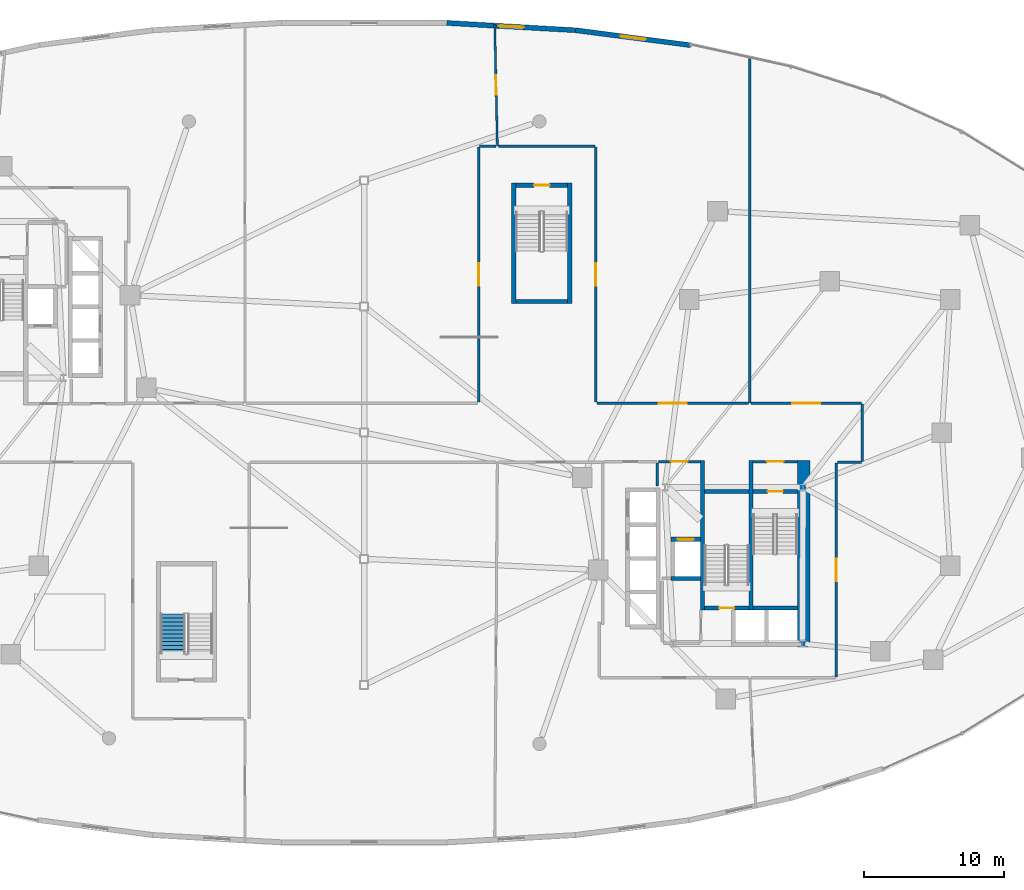
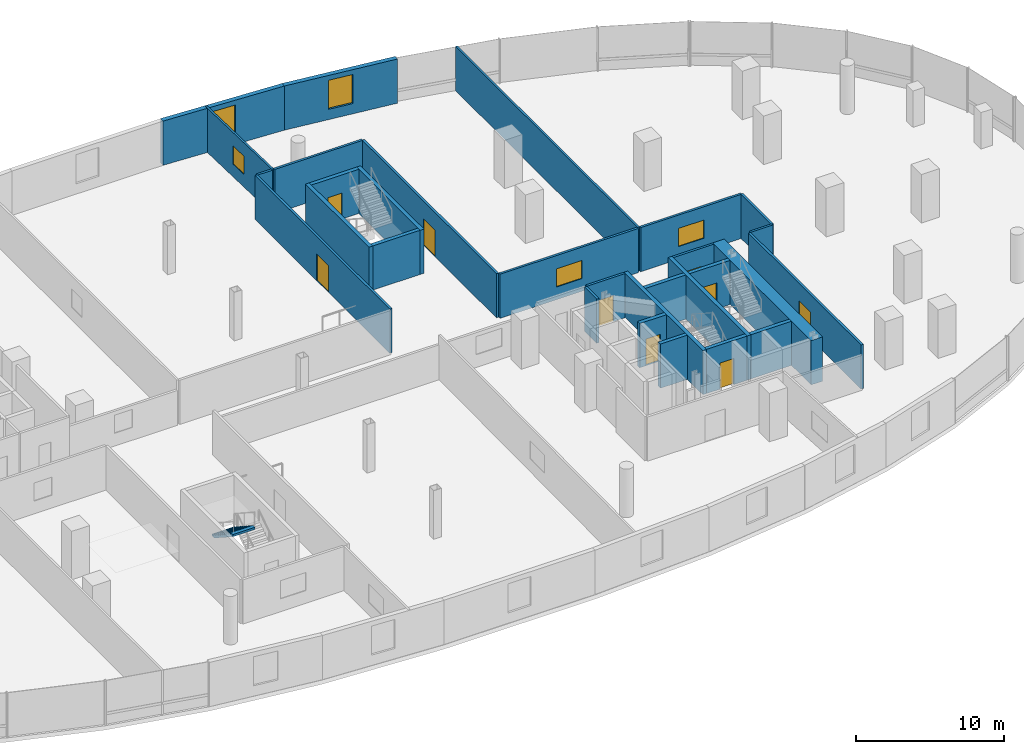
# One storey, part 15 of 18: 29 walls, 9 doors, 5 windows, 1 stair flight, 14 openings, 1 element without a shape of its own.
"""IFC4 building model written with IfcOpenShell, lengths in metres."""

from ifc_helpers import new_model, si_unit, direction, frame, frame_2d, origin, place, context, subcontext, project, spatial, polyline, rectangle, outline, extrude, material, layer, layer_set, type_object, element, fill, aggregate, save


model = new_model("IFC4")

# Units and contexts
model_context = context("Model", 3, precision=1e-05, world=origin(), true_north=direction((0.0, 1.0)))
body_context = subcontext(model_context, "Body", "Model", "MODEL_VIEW")
ifc_project = project(units=[si_unit("LENGTHUNIT", "METRE"), si_unit("AREAUNIT", "SQUARE_METRE"), si_unit("VOLUMEUNIT", "CUBIC_METRE"), si_unit("PLANEANGLEUNIT", "RADIAN"), si_unit("MASSUNIT", "GRAM", prefix="KILO"), si_unit("THERMODYNAMICTEMPERATUREUNIT", "KELVIN"), si_unit("POWERUNIT", "WATT")], contexts=[model_context])

# Site, building, storey
site_placement = place(None, origin())
site = spatial("IfcSite", under=ifc_project, at=site_placement, CompositionType="ELEMENT")
building_placement = place(site_placement, origin())
building = spatial("IfcBuilding", under=site, at=building_placement, Name="Cundina Bronze Exchange", CompositionType="ELEMENT")
storey_placement = place(building_placement, frame((0.0, 0.0, 12.0)))
storey = spatial("IfcBuildingStorey", under=building, at=storey_placement, Name="L02", CompositionType="ELEMENT", Elevation=12.0)

# Wall
ifc_material_1 = material(Name="Gypsum Fireboard Partition EI120")
ifc_layer_1 = layer(ifc_material_1, 0.179931640625, Name="Gypsum Fireboard Partition EI120")
ifc_layer_set_1 = layer_set([ifc_layer_1], Name="Gypsum Fireboard Partition EI120")
wall_type_1 = type_object("IfcWallType", Name="WL-COR-180", PredefinedType="PARTITIONING", material=ifc_layer_set_1)
wall_1_placement = place(storey_placement, frame((20.889892578125, -3.800048828125, 0.0), z_axis=(0.0, 0.0, 1.0), x_axis=(0.0, 1.0, 0.0)))
element("IfcWall", 1, at=wall_1_placement, inside=storey, type_object=wall_type_1, Name="L02 E Firefighting Lobby Side Wall", PredefinedType="PARTITIONING", context=body_context, shape_type="SweptSolid", body=[
    extrude(rectangle(XDim=1.650146484375, YDim=0.179931640625, at=frame_2d((0.8251953125, 0.0))), origin(), (0.0, 0.0, 1.0), 3.64990234375),
])

# Wall, opening, door
wall_2_placement = place(storey_placement, frame((20.97998046875, -2.06005859375, 0.0), z_axis=(0.0, 0.0, 1.0), x_axis=(1.0, 0.0, 0.0)))
wall_2 = element("IfcWall", 2, at=wall_2_placement, inside=storey, type_object=wall_type_1, Name="L02 E Firefighting Lobby Exit Wall", PredefinedType="PARTITIONING", context=body_context, shape_type="SweptSolid", body=[
    extrude(rectangle(XDim=3.0, YDim=0.179931640625, at=frame_2d((1.5, 0.0))), origin(), (0.0, 0.0, 1.0), 3.64990234375),
])
opening_1_placement = place(wall_2_placement, frame((0.89990234375, 0.0, 0.0)))
opening_1 = element("IfcOpeningElement", 3, at=opening_1_placement, cuts=wall_2, Name="Opening DF-01", PredefinedType="OPENING", context=body_context, shape_type="SweptSolid", body=[
    extrude(rectangle(XDim=1.199951171875, YDim=2.14990234375, at=frame_2d((0.60009765625, 1.074951171875))), frame((0.0, 0.099853515625, 0.0), z_axis=(0.0, -1.0, 0.0), x_axis=(1.0, 0.0, 0.0)), (0.0, 0.0, 1.0), 0.199951171875),
])
ifc_material_2 = material(Name="Steel ASTM A36 Painted", Category="steel")
door_type_1 = type_object("IfcDoorType", Name="DR-FFL-1200", OperationType="NOTDEFINED", PredefinedType="DOOR", material=ifc_material_2)
door_1_placement = place(opening_1_placement, origin())
door_1 = element("IfcDoor", 4, at=door_1_placement, inside=storey, type_object=door_type_1, Name="L02 E Firefighting Lobby Door", OperationType="SINGLE_SWING_LEFT", OverallHeight=2.14990234375, OverallWidth=1.199951171875, PredefinedType="DOOR", context=body_context, shape_type="SweptSolid", body=[
    extrude(rectangle(XDim=1.199951171875, YDim=2.14990234375, at=frame_2d((0.60009765625, 1.074951171875))), frame((0.0, 0.02490234375, 0.0), z_axis=(0.0, -1.0, 0.0), x_axis=(1.0, 0.0, 0.0)), (0.0, 0.0, 1.0), 0.050048828125),
])
fill(opening_1, door_1)

wall_3_placement = place(storey_placement, frame((27.739990234375, -2.06005859375, 0.0), z_axis=(0.0, 0.0, 1.0), x_axis=(1.0, 0.0, 0.0)))
wall_3 = element("IfcWall", 5, at=wall_3_placement, inside=storey, type_object=wall_type_1, Name="L02 E Stair Vestibule Exit Wall", PredefinedType="PARTITIONING", context=body_context, shape_type="SweptSolid", body=[
    extrude(rectangle(XDim=3.159912109375, YDim=0.179931640625, at=frame_2d((1.580078125, 0.0))), origin(), (0.0, 0.0, 1.0), 3.64990234375),
])
opening_2_placement = place(wall_3_placement, frame((0.97998046875, 0.0, 0.0)))
opening_2 = element("IfcOpeningElement", 6, at=opening_2_placement, cuts=wall_3, Name="Opening DF-01", PredefinedType="OPENING", context=body_context, shape_type="SweptSolid", body=[
    extrude(rectangle(XDim=1.199951171875, YDim=2.14990234375, at=frame_2d((0.60009765625, 1.074951171875))), frame((0.0, 0.099853515625, 0.0), z_axis=(0.0, -1.0, 0.0), x_axis=(1.0, 0.0, 0.0)), (0.0, 0.0, 1.0), 0.199951171875),
])
door_2_placement = place(opening_2_placement, origin())
door_2 = element("IfcDoor", 7, at=door_2_placement, inside=storey, type_object=door_type_1, Name="L02 E Stair Vestibule Door", OperationType="SINGLE_SWING_RIGHT", OverallHeight=2.14990234375, OverallWidth=1.199951171875, PredefinedType="DOOR", context=body_context, shape_type="SweptSolid", body=[
    extrude(rectangle(XDim=1.199951171875, YDim=2.14990234375, at=frame_2d((0.60009765625, 1.074951171875))), frame((0.0, 0.02490234375, 0.0), z_axis=(0.0, -1.0, 0.0), x_axis=(1.0, 0.0, 0.0)), (0.0, 0.0, 1.0), 0.050048828125),
])
fill(opening_2, door_2)

wall_4_placement = place(storey_placement, frame((33.669921875, -17.428466796875, 0.0), z_axis=(0.0, 0.0, 1.0), x_axis=(0.0, 1.0, 0.0)))
wall_4 = element("IfcWall", 8, at=wall_4_placement, inside=storey, type_object=wall_type_1, Name="L02 Interior Partition 043", PredefinedType="PARTITIONING", context=body_context, shape_type="SweptSolid", body=[
    extrude(rectangle(XDim=15.24853515625, YDim=0.179931640625, at=frame_2d((7.624267578125, 0.0))), origin(), (0.0, 0.0, 1.0), 3.64990234375),
])
opening_3_placement = place(wall_4_placement, frame((6.82421875, 0.0, 0.0)))
opening_3 = element("IfcOpeningElement", 9, at=opening_3_placement, cuts=wall_4, Name="Opening DO-02", PredefinedType="OPENING", context=body_context, shape_type="SweptSolid", body=[
    extrude(rectangle(XDim=1.60009765625, YDim=2.199951171875, at=frame_2d((0.800048828125, 1.10009765625))), frame((0.0, 0.099853515625, 0.0), z_axis=(0.0, -1.0, 0.0), x_axis=(1.0, 0.0, 0.0)), (0.0, 0.0, 1.0), 0.199951171875),
])
ifc_material_3 = material(Name="Solid Andean Oak Timber Grade A", Category="wood")
door_type_2 = type_object("IfcDoorType", Name="DR-TRD-1600", OperationType="NOTDEFINED", PredefinedType="DOOR", material=ifc_material_3)
door_3_placement = place(opening_3_placement, origin())
door_3 = element("IfcDoor", 10, at=door_3_placement, inside=storey, type_object=door_type_2, Name="L02 Interior Door 043", OperationType="SINGLE_SWING_LEFT", OverallHeight=2.199951171875, OverallWidth=1.60009765625, PredefinedType="DOOR", context=body_context, shape_type="SweptSolid", body=[
    extrude(rectangle(XDim=1.60009765625, YDim=2.199951171875, at=frame_2d((0.800048828125, 1.10009765625))), frame((0.0, 0.02490234375, 0.0), z_axis=(0.0, -1.0, 0.0), x_axis=(1.0, 0.0, 0.0)), (0.0, 0.0, 1.0), 0.050048828125),
])
fill(opening_3, door_3)

# Wall, opening, window
wall_5_placement = place(storey_placement, frame((35.478515625, 2.10009765625, 0.0), z_axis=(0.0, 0.0, 1.0), x_axis=(-1.0, 0.0, 0.0)))
wall_5 = element("IfcWall", 11, at=wall_5_placement, inside=storey, type_object=wall_type_1, Name="L02 Interior Partition 044", PredefinedType="PARTITIONING", context=body_context, shape_type="SweptSolid", body=[
    extrude(rectangle(XDim=7.883544921875, YDim=0.179931640625, at=frame_2d((3.94189453125, 0.0))), origin(), (0.0, 0.0, 1.0), 3.64990234375),
])
opening_4_placement = place(wall_5_placement, frame((2.94189453125, 0.0, 1.050048828125)))
opening_4 = element("IfcOpeningElement", 12, at=opening_4_placement, cuts=wall_5, Name="Opening WI-01", PredefinedType="OPENING", context=body_context, shape_type="SweptSolid", body=[
    extrude(rectangle(XDim=2.0, YDim=1.5, at=frame_2d((1.0, 0.75))), frame((0.0, 0.099853515625, 0.0), z_axis=(0.0, -1.0, 0.0), x_axis=(1.0, 0.0, 0.0)), (0.0, 0.0, 1.0), 0.199951171875),
])
ifc_material_4 = material(Name="Clear Low-E Insulating Glass 26mm", Category="glass")
window_type_1 = type_object("IfcWindowType", Name="WN-INT-2000", PartitioningType="SINGLE_PANEL", PredefinedType="WINDOW", material=ifc_material_4)
window_1_placement = place(opening_4_placement, origin())
window_1 = element("IfcWindow", 13, at=window_1_placement, inside=storey, type_object=window_type_1, Name="L02 Interior Acoustic Vision Window 044", OverallHeight=1.5, OverallWidth=2.0, PartitioningType="SINGLE_PANEL", PredefinedType="WINDOW", context=body_context, shape_type="SweptSolid", body=[
    extrude(rectangle(XDim=2.0, YDim=1.5, at=frame_2d((1.0, 0.75))), frame((0.0, 0.030029296875, 0.0), z_axis=(0.0, -1.0, 0.0), x_axis=(1.0, 0.0, 0.0)), (0.0, 0.0, 1.0), 0.06005859375),
])
fill(opening_4, window_1)

# Walls
wall_6_placement = place(storey_placement, frame((35.52001953125, -2.05859375, 0.0), z_axis=(0.0, 0.0, 1.0), x_axis=(0.0, 1.0, 0.0)))
element("IfcWall", 14, at=wall_6_placement, inside=storey, type_object=wall_type_1, Name="L02 Interior Partition 046", PredefinedType="PARTITIONING", context=body_context, shape_type="SweptSolid", body=[
    extrude(rectangle(XDim=4.1171875, YDim=0.179931640625, at=frame_2d((2.05859375, 0.0))), origin(), (0.0, 0.0, 1.0), 3.64990234375),
])
wall_7_placement = place(storey_placement, frame((33.75, -2.10009765625, 0.0), z_axis=(0.0, 0.0, 1.0), x_axis=(1.0, 0.0, 0.0)))
element("IfcWall", 15, at=wall_7_placement, inside=storey, type_object=wall_type_1, Name="L02 Interior Partition 047", PredefinedType="PARTITIONING", context=body_context, shape_type="SweptSolid", body=[
    extrude(rectangle(XDim=1.728515625, YDim=0.179931640625, at=frame_2d((0.8642578125, 0.0))), origin(), (0.0, 0.0, 1.0), 3.64990234375),
])

# Wall, opening, door
wall_8_placement = place(storey_placement, frame((8.179931640625, 20.37841796875, 0.0), z_axis=(0.0, 0.0, 1.0), x_axis=(0.0, -1.0, 0.0)))
wall_8 = element("IfcWall", 16, at=wall_8_placement, inside=storey, type_object=wall_type_1, Name="L02 Interior Partition 048", PredefinedType="PARTITIONING", context=body_context, shape_type="SweptSolid", body=[
    extrude(rectangle(XDim=18.198486328125, YDim=0.179931640625, at=frame_2d((9.09912109375, 0.0))), origin(), (0.0, 0.0, 1.0), 3.64990234375),
])
opening_5_placement = place(wall_8_placement, frame((8.29931640625, 0.0, 0.0)))
opening_5 = element("IfcOpeningElement", 17, at=opening_5_placement, cuts=wall_8, Name="Opening DO-02", PredefinedType="OPENING", context=body_context, shape_type="SweptSolid", body=[
    extrude(rectangle(XDim=1.60009765625, YDim=2.199951171875, at=frame_2d((0.800048828125, 1.10009765625))), frame((0.0, 0.099853515625, 0.0), z_axis=(0.0, -1.0, 0.0), x_axis=(1.0, 0.0, 0.0)), (0.0, 0.0, 1.0), 0.199951171875),
])
door_4_placement = place(opening_5_placement, origin())
door_4 = element("IfcDoor", 18, at=door_4_placement, inside=storey, type_object=door_type_2, Name="L02 Interior Door 048", OperationType="SINGLE_SWING_LEFT", OverallHeight=2.199951171875, OverallWidth=1.60009765625, PredefinedType="DOOR", context=body_context, shape_type="SweptSolid", body=[
    extrude(rectangle(XDim=1.60009765625, YDim=2.199951171875, at=frame_2d((0.800048828125, 1.10009765625))), frame((0.0, 0.02490234375, 0.0), z_axis=(0.0, -1.0, 0.0), x_axis=(1.0, 0.0, 0.0)), (0.0, 0.0, 1.0), 0.050048828125),
])
fill(opening_5, door_4)

# Wall
wall_9_placement = place(storey_placement, frame((9.405029296875, 20.419921875, 0.0), z_axis=(0.0, 0.0, 1.0), x_axis=(-1.0, 0.0, 0.0)))
element("IfcWall", 19, at=wall_9_placement, inside=storey, type_object=wall_type_1, Name="L02 Interior Partition 050", PredefinedType="PARTITIONING", context=body_context, shape_type="SweptSolid", body=[
    extrude(rectangle(XDim=1.18359375, YDim=0.179931640625, at=frame_2d((0.591796875, 0.0))), origin(), (0.0, 0.0, 1.0), 3.64990234375),
])

# Wall, opening, door
wall_10_placement = place(storey_placement, frame((16.52001953125, 2.179931640625, 0.0), z_axis=(0.0, 0.0, 1.0), x_axis=(0.0, 1.0, 0.0)))
wall_10 = element("IfcWall", 20, at=wall_10_placement, inside=storey, type_object=wall_type_1, Name="L02 Interior Partition 051", PredefinedType="PARTITIONING", context=body_context, shape_type="SweptSolid", body=[
    extrude(rectangle(XDim=18.198486328125, YDim=0.179931640625, at=frame_2d((9.09912109375, 0.0))), origin(), (0.0, 0.0, 1.0), 3.64990234375),
])
opening_6_placement = place(wall_10_placement, frame((8.29931640625, 0.0, 0.0)))
opening_6 = element("IfcOpeningElement", 21, at=opening_6_placement, cuts=wall_10, Name="Opening DO-02", PredefinedType="OPENING", context=body_context, shape_type="SweptSolid", body=[
    extrude(rectangle(XDim=1.60009765625, YDim=2.199951171875, at=frame_2d((0.800048828125, 1.10009765625))), frame((0.0, 0.099853515625, 0.0), z_axis=(0.0, -1.0, 0.0), x_axis=(1.0, 0.0, 0.0)), (0.0, 0.0, 1.0), 0.199951171875),
])
door_5_placement = place(opening_6_placement, origin())
door_5 = element("IfcDoor", 22, at=door_5_placement, inside=storey, type_object=door_type_2, Name="L02 Interior Door 051", OperationType="SINGLE_SWING_RIGHT", OverallHeight=2.199951171875, OverallWidth=1.60009765625, PredefinedType="DOOR", context=body_context, shape_type="SweptSolid", body=[
    extrude(rectangle(XDim=1.60009765625, YDim=2.199951171875, at=frame_2d((0.800048828125, 1.10009765625))), frame((0.0, 0.02490234375, 0.0), z_axis=(0.0, -1.0, 0.0), x_axis=(1.0, 0.0, 0.0)), (0.0, 0.0, 1.0), 0.050048828125),
])
fill(opening_6, door_5)

# Wall, opening, window
wall_11_placement = place(storey_placement, frame((27.405029296875, 2.10009765625, 0.0), z_axis=(0.0, 0.0, 1.0), x_axis=(-1.0, 0.0, 0.0)))
wall_11 = element("IfcWall", 23, at=wall_11_placement, inside=storey, type_object=wall_type_1, Name="L02 Interior Partition 052", PredefinedType="PARTITIONING", context=body_context, shape_type="SweptSolid", body=[
    extrude(rectangle(XDim=10.804931640625, YDim=0.179931640625, at=frame_2d((5.40234375, 0.0))), origin(), (0.0, 0.0, 1.0), 3.64990234375),
])
opening_7_placement = place(wall_11_placement, frame((4.402099609375, 0.0, 1.050048828125)))
opening_7 = element("IfcOpeningElement", 24, at=opening_7_placement, cuts=wall_11, Name="Opening WI-01", PredefinedType="OPENING", context=body_context, shape_type="SweptSolid", body=[
    extrude(rectangle(XDim=2.0, YDim=1.5, at=frame_2d((1.0, 0.75))), frame((0.0, 0.099853515625, 0.0), z_axis=(0.0, -1.0, 0.0), x_axis=(1.0, 0.0, 0.0)), (0.0, 0.0, 1.0), 0.199951171875),
])
window_2_placement = place(opening_7_placement, origin())
window_2 = element("IfcWindow", 25, at=window_2_placement, inside=storey, type_object=window_type_1, Name="L02 Interior Acoustic Vision Window 052", OverallHeight=1.5, OverallWidth=2.0, PartitioningType="SINGLE_PANEL", PredefinedType="WINDOW", context=body_context, shape_type="SweptSolid", body=[
    extrude(rectangle(XDim=2.0, YDim=1.5, at=frame_2d((1.0, 0.75))), frame((0.0, 0.030029296875, 0.0), z_axis=(0.0, -1.0, 0.0), x_axis=(1.0, 0.0, 0.0)), (0.0, 0.0, 1.0), 0.06005859375),
])
fill(opening_7, window_2)

# Walls
wall_12_placement = place(storey_placement, frame((16.478515625, 20.419921875, 0.0), z_axis=(0.0, 0.0, 1.0), x_axis=(-1.0, 0.0, 0.0)))
element("IfcWall", 26, at=wall_12_placement, inside=storey, type_object=wall_type_1, Name="L02 Interior Partition 053", PredefinedType="PARTITIONING", context=body_context, shape_type="SweptSolid", body=[
    extrude(rectangle(XDim=6.883544921875, YDim=0.179931640625, at=frame_2d((3.44189453125, 0.0))), origin(), (0.0, 0.0, 1.0), 3.64990234375),
])
ifc_material_5 = material(Name="Concrete C60/75", Category="concrete")
ifc_layer_2 = layer(ifc_material_5, 0.89990234375, Name="Concrete C60/75", Category="concrete")
ifc_layer_set_2 = layer_set([ifc_layer_2], Name="Concrete C60/75")
wall_type_2 = type_object("IfcWallType", Name="WL-CORE-900", PredefinedType="SHEAR", material=ifc_layer_set_2)
wall_13_placement = place(storey_placement, frame((31.35009765625, -15.300048828125, 0.0), z_axis=(0.0, 0.0, 1.0), x_axis=(0.0, 1.0, 0.0)))
element("IfcWall", 27, at=wall_13_placement, inside=storey, type_object=wall_type_2, Name="L02 E Primary Core Shear Spine Wall", PredefinedType="SHEAR", context=body_context, shape_type="SweptSolid", body=[
    extrude(rectangle(XDim=13.330078125, YDim=0.89990234375, at=frame_2d((6.6650390625, 0.0))), origin(), (0.0, 0.0, 1.0), 3.64990234375),
])

# Wall, opening, window
ifc_material_6 = material(Name="Concrete C40/50", Category="concrete")
ifc_layer_3 = layer(ifc_material_6, 0.35009765625, Name="Concrete C40/50", Category="concrete")
ifc_layer_set_3 = layer_set([ifc_layer_3], Name="Concrete C40/50")
wall_type_3 = type_object("IfcWallType", Name="WL-EXT-350", PredefinedType="SOLIDWALL", material=ifc_layer_set_3)
wall_14_placement = place(storey_placement, frame((23.29345703125, 27.63232421875, 0.0), z_axis=(0.0, 0.0, 1.0), x_axis=(-0.99168663472, 0.128676410104, 0.0)))
wall_14 = element("IfcWall", 28, at=wall_14_placement, inside=storey, type_object=wall_type_3, Name="L02 Podium Exterior Wall 08", PredefinedType="SOLIDWALL", context=body_context, shape_type="SweptSolid", body=[
    extrude(rectangle(XDim=8.28369140625, YDim=0.35009765625, at=frame_2d((4.141845703125, 0.0))), origin(), (0.0, 0.0, 1.0), 3.64990234375),
])
opening_8_placement = place(wall_14_placement, frame((3.241943359375, 0.0, 0.85009765625)))
opening_8 = element("IfcOpeningElement", 29, at=opening_8_placement, cuts=wall_14, Name="Opening W-02", PredefinedType="OPENING", context=body_context, shape_type="SweptSolid", body=[
    extrude(rectangle(XDim=1.800048828125, YDim=2.39990234375, at=frame_2d((0.89990234375, 1.199951171875))), frame((0.0, 0.18505859375, 0.0), z_axis=(0.0, -1.0, 0.0), x_axis=(1.0, 0.0, 0.0)), (0.0, 0.0, 1.0), 0.3701171875),
])
ifc_material_7 = material(Name="Heat-Strengthened Solar-Control Bronze Safety Glass 28mm", Category="glass")
window_type_2 = type_object("IfcWindowType", Name="WN-POD-1800", PartitioningType="SINGLE_PANEL", PredefinedType="WINDOW", material=ifc_material_7)
window_3_placement = place(opening_8_placement, origin())
window_3 = element("IfcWindow", 30, at=window_3_placement, inside=storey, type_object=window_type_2, Name="L02 Podium Punched Window 08", OverallHeight=2.39990234375, OverallWidth=1.800048828125, PartitioningType="SINGLE_PANEL", PredefinedType="WINDOW", context=body_context, shape_type="SweptSolid", body=[
    extrude(rectangle(XDim=1.800048828125, YDim=2.39990234375, at=frame_2d((0.89990234375, 1.199951171875))), frame((0.0, 0.030029296875, 0.0), z_axis=(0.0, -1.0, 0.0), x_axis=(1.0, 0.0, 0.0)), (0.0, 0.0, 1.0), 0.06005859375),
])
fill(opening_8, window_3)

wall_15_placement = place(storey_placement, frame((15.07861328125, 28.6982421875, 0.0), z_axis=(0.0, 0.0, 1.0), x_axis=(-0.998413463137, 0.056307695976, 0.0)))
wall_15 = element("IfcWall", 31, at=wall_15_placement, inside=storey, type_object=wall_type_3, Name="L02 Podium Exterior Wall 09", PredefinedType="SOLIDWALL", context=body_context, shape_type="SweptSolid", body=[
    extrude(rectangle(XDim=9.20068359375, YDim=0.35009765625, at=frame_2d((4.600341796875, 0.0))), origin(), (0.0, 0.0, 1.0), 3.64990234375),
])
opening_9_placement = place(wall_15_placement, frame((3.699951171875, 0.0, 0.85009765625)))
opening_9 = element("IfcOpeningElement", 32, at=opening_9_placement, cuts=wall_15, Name="Opening W-02", PredefinedType="OPENING", context=body_context, shape_type="SweptSolid", body=[
    extrude(rectangle(XDim=1.800048828125, YDim=2.39990234375, at=frame_2d((0.89990234375, 1.199951171875))), frame((0.0, 0.18505859375, 0.0), z_axis=(0.0, -1.0, 0.0), x_axis=(1.0, 0.0, 0.0)), (0.0, 0.0, 1.0), 0.3701171875),
])
window_4_placement = place(opening_9_placement, origin())
window_4 = element("IfcWindow", 33, at=window_4_placement, inside=storey, type_object=window_type_2, Name="L02 Podium Punched Window 09", OverallHeight=2.39990234375, OverallWidth=1.800048828125, PartitioningType="SINGLE_PANEL", PredefinedType="WINDOW", context=body_context, shape_type="SweptSolid", body=[
    extrude(rectangle(XDim=1.800048828125, YDim=2.39990234375, at=frame_2d((0.89990234375, 1.199951171875))), frame((0.0, 0.030029296875, 0.0), z_axis=(0.0, -1.0, 0.0), x_axis=(1.0, 0.0, 0.0)), (0.0, 0.0, 1.0), 0.06005859375),
])
fill(opening_9, window_4)

# Walls
ifc_material_8 = material(Name="Concrete C50/60", Category="concrete")
ifc_layer_4 = layer(ifc_material_8, 0.300048828125, Name="Concrete C50/60", Category="concrete")
ifc_layer_set_4 = layer_set([ifc_layer_4], Name="Concrete C50/60")
wall_type_4 = type_object("IfcWallType", Name="WL-SHFT-300", PredefinedType="SHEAR", material=ifc_layer_set_4)
for number, where, z_axis, x_axis, name in (
    (34, (10.669921875, 9.199951171875, 0.0), (0.0, 0.0, 1.0), (0.0, 1.0, 0.0), "L02 Concourse Stair E West Shaft Wall"),
    (35, (14.669921875, 9.199951171875, 0.0), (0.0, 0.0, 1.0), (0.0, 1.0, 0.0), "L02 Concourse Stair E East Shaft Wall"),
):
    element("IfcWall", number, at=place(storey_placement, frame(where, z_axis=z_axis, x_axis=x_axis)), inside=storey, type_object=wall_type_4, Name=name, PredefinedType="SHEAR", context=body_context, shape_type="SweptSolid", body=[
        extrude(rectangle(XDim=8.60009765625, YDim=0.300048828125, at=frame_2d((4.300048828125, 0.0))), origin(), (0.0, 0.0, 1.0), 3.64990234375),
    ])

# Wall, opening, door
wall_16_placement = place(storey_placement, frame((10.820068359375, 17.64990234375, 0.0), z_axis=(0.0, 0.0, 1.0), x_axis=(1.0, 0.0, 0.0)))
wall_16 = element("IfcWall", 36, at=wall_16_placement, inside=storey, type_object=wall_type_4, Name="L02 Concourse Stair E Landing Wall", PredefinedType="SHEAR", context=body_context, shape_type="SweptSolid", body=[
    extrude(rectangle(XDim=3.699951171875, YDim=0.300048828125, at=frame_2d((1.85009765625, 0.0))), origin(), (0.0, 0.0, 1.0), 3.64990234375),
])
opening_10_placement = place(wall_16_placement, frame((1.300048828125, 0.0, 0.0)))
opening_10 = element("IfcOpeningElement", 37, at=opening_10_placement, cuts=wall_16, Name="Opening DS-01", PredefinedType="OPENING", context=body_context, shape_type="SweptSolid", body=[
    extrude(rectangle(XDim=1.10009765625, YDim=2.14990234375, at=frame_2d((0.550048828125, 1.074951171875))), frame((0.0, 0.159912109375, 0.0), z_axis=(0.0, -1.0, 0.0), x_axis=(1.0, 0.0, 0.0)), (0.0, 0.0, 1.0), 0.320068359375),
])
door_type_3 = type_object("IfcDoorType", Name="DR-STR-1100", OperationType="NOTDEFINED", PredefinedType="DOOR", material=ifc_material_2)
door_6_placement = place(opening_10_placement, origin())
door_6 = element("IfcDoor", 38, at=door_6_placement, inside=storey, type_object=door_type_3, Name="L02 Concourse Stair E Door", OperationType="SINGLE_SWING_RIGHT", OverallHeight=2.14990234375, OverallWidth=1.10009765625, PredefinedType="DOOR", context=body_context, shape_type="SweptSolid", body=[
    extrude(rectangle(XDim=1.10009765625, YDim=2.14990234375, at=frame_2d((0.550048828125, 1.074951171875))), frame((0.0, 0.02490234375, 0.0), z_axis=(0.0, -1.0, 0.0), x_axis=(1.0, 0.0, 0.0)), (0.0, 0.0, 1.0), 0.050048828125),
])
fill(opening_10, door_6)

# Walls
wall_17_placement = place(storey_placement, frame((10.820068359375, 9.35009765625, 0.0), z_axis=(0.0, 0.0, 1.0), x_axis=(1.0, 0.0, 0.0)))
element("IfcWall", 39, at=wall_17_placement, inside=storey, type_object=wall_type_4, Name="L02 Concourse Stair E Far Shaft Wall", PredefinedType="SHEAR", context=body_context, shape_type="SweptSolid", body=[
    extrude(rectangle(XDim=3.699951171875, YDim=0.300048828125, at=frame_2d((1.85009765625, 0.0))), origin(), (0.0, 0.0, 1.0), 3.64990234375),
])
for number, where, z_axis, x_axis, name in (
    (40, (27.590087890625, -12.64990234375, 0.0), (0.0, 0.0, 1.0), (0.0, 1.0, 0.0), "L02 E Stair Shaft Dividing Shear Wall"),
    (41, (24.1298828125, -12.64990234375, 0.0), (0.0, 0.0, 1.0), (0.0, 1.0, 0.0), "L02 E Stair 2 East Shear Wall"),
):
    element("IfcWall", number, at=place(storey_placement, frame(where, z_axis=z_axis, x_axis=x_axis)), inside=storey, type_object=wall_type_4, Name=name, PredefinedType="SHEAR", context=body_context, shape_type="SweptSolid", body=[
        extrude(rectangle(XDim=10.679931640625, YDim=0.300048828125, at=frame_2d((5.33984375, 0.0))), origin(), (0.0, 0.0, 1.0), 3.64990234375),
    ])

# Wall, opening, door
wall_18_placement = place(storey_placement, frame((27.739990234375, -4.199951171875, 0.0), z_axis=(0.0, 0.0, 1.0), x_axis=(1.0, 0.0, 0.0)))
wall_18 = element("IfcWall", 42, at=wall_18_placement, inside=storey, type_object=wall_type_4, Name="L02 Stair E1 Landing Wall", PredefinedType="SHEAR", context=body_context, shape_type="SweptSolid", body=[
    extrude(rectangle(XDim=3.159912109375, YDim=0.300048828125, at=frame_2d((1.580078125, 0.0))), origin(), (0.0, 0.0, 1.0), 3.64990234375),
])
opening_11_placement = place(wall_18_placement, frame((1.030029296875, 0.0, 0.0)))
opening_11 = element("IfcOpeningElement", 43, at=opening_11_placement, cuts=wall_18, Name="Opening DS-01", PredefinedType="OPENING", context=body_context, shape_type="SweptSolid", body=[
    extrude(rectangle(XDim=1.10009765625, YDim=2.14990234375, at=frame_2d((0.550048828125, 1.074951171875))), frame((0.0, 0.159912109375, 0.0), z_axis=(0.0, -1.0, 0.0), x_axis=(1.0, 0.0, 0.0)), (0.0, 0.0, 1.0), 0.320068359375),
])
door_7_placement = place(opening_11_placement, origin())
door_7 = element("IfcDoor", 44, at=door_7_placement, inside=storey, type_object=door_type_3, Name="L02 Smokeproof Stair E1 Door", OperationType="SINGLE_SWING_LEFT", OverallHeight=2.14990234375, OverallWidth=1.10009765625, PredefinedType="DOOR", context=body_context, shape_type="SweptSolid", body=[
    extrude(rectangle(XDim=1.10009765625, YDim=2.14990234375, at=frame_2d((0.550048828125, 1.074951171875))), frame((0.0, 0.02490234375, 0.0), z_axis=(0.0, -1.0, 0.0), x_axis=(1.0, 0.0, 0.0)), (0.0, 0.0, 1.0), 0.050048828125),
])
fill(opening_11, door_7)

# Wall
wall_19_placement = place(storey_placement, frame((27.739990234375, -12.5, 0.0), z_axis=(0.0, 0.0, 1.0), x_axis=(1.0, 0.0, 0.0)))
element("IfcWall", 45, at=wall_19_placement, inside=storey, type_object=wall_type_4, Name="L02 Stair E1 Far Shaft Wall", PredefinedType="SHEAR", context=body_context, shape_type="SweptSolid", body=[
    extrude(rectangle(XDim=3.159912109375, YDim=0.300048828125, at=frame_2d((1.580078125, 0.0))), origin(), (0.0, 0.0, 1.0), 3.64990234375),
])

# Wall, opening, door
wall_20_placement = place(storey_placement, frame((24.280029296875, -12.5, 0.0), z_axis=(0.0, 0.0, 1.0), x_axis=(1.0, 0.0, 0.0)))
wall_20 = element("IfcWall", 46, at=wall_20_placement, inside=storey, type_object=wall_type_4, Name="L02 Stair E2 Landing Wall", PredefinedType="SHEAR", context=body_context, shape_type="SweptSolid", body=[
    extrude(rectangle(XDim=3.159912109375, YDim=0.300048828125, at=frame_2d((1.580078125, 0.0))), origin(), (0.0, 0.0, 1.0), 3.64990234375),
])
opening_12_placement = place(wall_20_placement, frame((1.030029296875, 0.0, 0.0)))
opening_12 = element("IfcOpeningElement", 47, at=opening_12_placement, cuts=wall_20, Name="Opening DS-01", PredefinedType="OPENING", context=body_context, shape_type="SweptSolid", body=[
    extrude(rectangle(XDim=1.10009765625, YDim=2.14990234375, at=frame_2d((0.550048828125, 1.074951171875))), frame((0.0, 0.159912109375, 0.0), z_axis=(0.0, -1.0, 0.0), x_axis=(1.0, 0.0, 0.0)), (0.0, 0.0, 1.0), 0.320068359375),
])
door_8_placement = place(opening_12_placement, origin())
door_8 = element("IfcDoor", 48, at=door_8_placement, inside=storey, type_object=door_type_3, Name="L02 Smokeproof Stair E2 Door", OperationType="SINGLE_SWING_RIGHT", OverallHeight=2.14990234375, OverallWidth=1.10009765625, PredefinedType="DOOR", context=body_context, shape_type="SweptSolid", body=[
    extrude(rectangle(XDim=1.10009765625, YDim=2.14990234375, at=frame_2d((0.550048828125, 1.074951171875))), frame((0.0, 0.02490234375, 0.0), z_axis=(0.0, -1.0, 0.0), x_axis=(1.0, 0.0, 0.0)), (0.0, 0.0, 1.0), 0.050048828125),
])
fill(opening_12, door_8)

# Wall
wall_21_placement = place(storey_placement, frame((24.280029296875, -4.199951171875, 0.0), z_axis=(0.0, 0.0, 1.0), x_axis=(1.0, 0.0, 0.0)))
element("IfcWall", 49, at=wall_21_placement, inside=storey, type_object=wall_type_4, Name="L02 Stair E2 Far Shaft Wall", PredefinedType="SHEAR", context=body_context, shape_type="SweptSolid", body=[
    extrude(rectangle(XDim=3.159912109375, YDim=0.300048828125, at=frame_2d((1.580078125, 0.0))), origin(), (0.0, 0.0, 1.0), 3.64990234375),
])

# Wall, opening, door
wall_22_placement = place(storey_placement, frame((21.8798828125, -7.60009765625, 0.0), z_axis=(0.0, 0.0, 1.0), x_axis=(1.0, 0.0, 0.0)))
wall_22 = element("IfcWall", 50, at=wall_22_placement, inside=storey, type_object=wall_type_4, Name="L02 FFL-E Hoistway Front Wall", PredefinedType="SHEAR", context=body_context, shape_type="SweptSolid", body=[
    extrude(rectangle(XDim=2.10009765625, YDim=0.300048828125, at=frame_2d((1.050048828125, 0.0))), origin(), (0.0, 0.0, 1.0), 3.64990234375),
])
opening_13_placement = place(wall_22_placement, frame((0.47509765625, 0.0, 0.0)))
opening_13 = element("IfcOpeningElement", 51, at=opening_13_placement, cuts=wall_22, Name="Opening LD-01", PredefinedType="OPENING", context=body_context, shape_type="SweptSolid", body=[
    extrude(rectangle(XDim=1.14990234375, YDim=2.199951171875, at=frame_2d((0.574951171875, 1.10009765625))), frame((0.0, 0.159912109375, 0.0), z_axis=(0.0, -1.0, 0.0), x_axis=(1.0, 0.0, 0.0)), (0.0, 0.0, 1.0), 0.320068359375),
])
door_type_4 = type_object("IfcDoorType", Name="DR-LND-1150", OperationType="NOTDEFINED", PredefinedType="TRAPDOOR", material=ifc_material_2)
door_9_placement = place(opening_13_placement, origin())
door_9 = element("IfcDoor", 52, at=door_9_placement, inside=storey, type_object=door_type_4, Name="L02 FFL-E Sliding Landing Door", OperationType="SLIDING_TO_LEFT", OverallHeight=2.199951171875, OverallWidth=1.14990234375, PredefinedType="TRAPDOOR", context=body_context, shape_type="SweptSolid", body=[
    extrude(rectangle(XDim=1.14990234375, YDim=2.199951171875, at=frame_2d((0.574951171875, 1.10009765625))), frame((0.0, 0.02490234375, 0.0), z_axis=(0.0, -1.0, 0.0), x_axis=(1.0, 0.0, 0.0)), (0.0, 0.0, 1.0), 0.050048828125),
])
fill(opening_13, door_9)

# Wall
wall_23_placement = place(storey_placement, frame((21.8798828125, -10.39990234375, 0.0), z_axis=(0.0, 0.0, 1.0), x_axis=(1.0, 0.0, 0.0)))
element("IfcWall", 53, at=wall_23_placement, inside=storey, type_object=wall_type_4, Name="L02 FFL-E Hoistway Back Wall", PredefinedType="SHEAR", context=body_context, shape_type="SweptSolid", body=[
    extrude(rectangle(XDim=2.10009765625, YDim=0.300048828125, at=frame_2d((1.050048828125, 0.0))), origin(), (0.0, 0.0, 1.0), 3.64990234375),
])

# Wall, opening, window
ifc_material_9 = material(Name="Gypsum Acoustic Partition EI60")
ifc_layer_5 = layer(ifc_material_9, 0.14990234375, Name="Gypsum Acoustic Partition EI60")
ifc_layer_set_5 = layer_set([ifc_layer_5], Name="Gypsum Acoustic Partition EI60")
wall_type_5 = type_object("IfcWallType", Name="WL-TEN-150", PredefinedType="PARTITIONING", material=ifc_layer_set_5)
wall_24_placement = place(storey_placement, frame((9.5, 20.449951171875, 0.0), z_axis=(0.0, 0.0, 1.0), x_axis=(-0.021469256011, 0.99976950896, 0.0)))
wall_24 = element("IfcWall", 54, at=wall_24_placement, inside=storey, type_object=wall_type_5, Name="L02 Interior Partition 027", PredefinedType="PARTITIONING", context=body_context, shape_type="SweptSolid", body=[
    extrude(rectangle(XDim=8.676513671875, YDim=0.14990234375, at=frame_2d((4.33837890625, 0.0))), origin(), (0.0, 0.0, 1.0), 3.64990234375),
])
opening_14_placement = place(wall_24_placement, frame((3.637939453125, 0.0, 1.050048828125)))
opening_14 = element("IfcOpeningElement", 55, at=opening_14_placement, cuts=wall_24, Name="Opening WI-02", PredefinedType="OPENING", context=body_context, shape_type="SweptSolid", body=[
    extrude(rectangle(XDim=1.39990234375, YDim=1.5, at=frame_2d((0.699951171875, 0.75))), frame((0.0, 0.0849609375, 0.0), z_axis=(0.0, -1.0, 0.0), x_axis=(1.0, 0.0, 0.0)), (0.0, 0.0, 1.0), 0.169921875),
])
window_type_3 = type_object("IfcWindowType", Name="WN-INT-1400", PartitioningType="SINGLE_PANEL", PredefinedType="WINDOW", material=ifc_material_4)
window_5_placement = place(opening_14_placement, origin())
window_5 = element("IfcWindow", 56, at=window_5_placement, inside=storey, type_object=window_type_3, Name="L02 Interior Acoustic Vision Window 027", OverallHeight=1.5, OverallWidth=1.39990234375, PartitioningType="SINGLE_PANEL", PredefinedType="WINDOW", context=body_context, shape_type="SweptSolid", body=[
    extrude(rectangle(XDim=1.39990234375, YDim=1.5, at=frame_2d((0.699951171875, 0.75))), frame((0.0, 0.030029296875, 0.0), z_axis=(0.0, -1.0, 0.0), x_axis=(1.0, 0.0, 0.0)), (0.0, 0.0, 1.0), 0.06005859375),
])
fill(opening_14, window_5)

# Wall
wall_25_placement = place(storey_placement, frame((27.5, 2.1298828125, 0.0), z_axis=(0.0, 0.0, 1.0), x_axis=(0.0, 1.0, 0.0)))
element("IfcWall", 57, at=wall_25_placement, inside=storey, type_object=wall_type_5, Name="L02 Interior Partition 030", PredefinedType="PARTITIONING", context=body_context, shape_type="SweptSolid", body=[
    extrude(rectangle(XDim=24.65625, YDim=0.14990234375, at=frame_2d((12.328125, 0.0))), origin(), (0.0, 0.0, 1.0), 3.64990234375),
])

# Stair, stair flight
stair_type = type_object("IfcStairType", Name="STR-CON-600", PredefinedType="STRAIGHT_RUN_STAIR", material=ifc_material_6)
stair_placement = place(storey_placement, origin())
stair = element("IfcStair", 58, at=stair_placement, inside=storey, type_object=stair_type, Name="L02 Concourse Exchange Stair W", PredefinedType="HALF_TURN_STAIR")
stair_flight_type = type_object("IfcStairFlightType", Name="FLG-CON-300", PredefinedType="STRAIGHT", material=ifc_material_6)
stair_flight_placement = place(storey_placement, frame((-13.64501953125, -12.949951171875, 2.0), z_axis=(0.0, 0.0, 1.0), x_axis=(0.0, -1.0, 0.0)))
stair_flight = element("IfcStairFlight", 59, at=stair_flight_placement, type_object=stair_flight_type, Name="ST-PW flight 2", NumberOfRisers=11, NumberOfTreads=10, PredefinedType="STRAIGHT", RiserHeight=0.181818182, TreadLength=0.28, context=body_context, shape_type="SweptSolid", body=[
    extrude(outline(polyline([(0.0, 0.0), (0.0, 0.181884765625), (0.280029296875, 0.181884765625), (0.280029296875, 0.363525390625), (0.56005859375, 0.363525390625), (0.56005859375, 0.54541015625), (0.840087890625, 0.54541015625), (0.840087890625, 0.727294921875), (1.1201171875, 0.727294921875), (1.1201171875, 0.9091796875), (1.39990234375, 0.9091796875), (1.39990234375, 1.0908203125), (1.679931640625, 1.0908203125), (1.679931640625, 1.272705078125), (1.9599609375, 1.272705078125), (1.9599609375, 1.45458984375), (2.239990234375, 1.45458984375), (2.239990234375, 1.636474609375), (2.52001953125, 1.636474609375), (2.52001953125, 1.818115234375), (2.800048828125, 1.818115234375), (2.800048828125, 2.0), (2.800048828125, 1.639404296875), (0.275146484375, 0.0), (0.0, 0.0)])), frame((0.0, 0.875, 0.0), z_axis=(0.0, -1.0, 0.0), x_axis=(1.0, 0.0, 0.0)), (0.0, 0.0, 1.0), 1.75),
])
aggregate(stair, [stair_flight])

save(model, "model.ifc")
